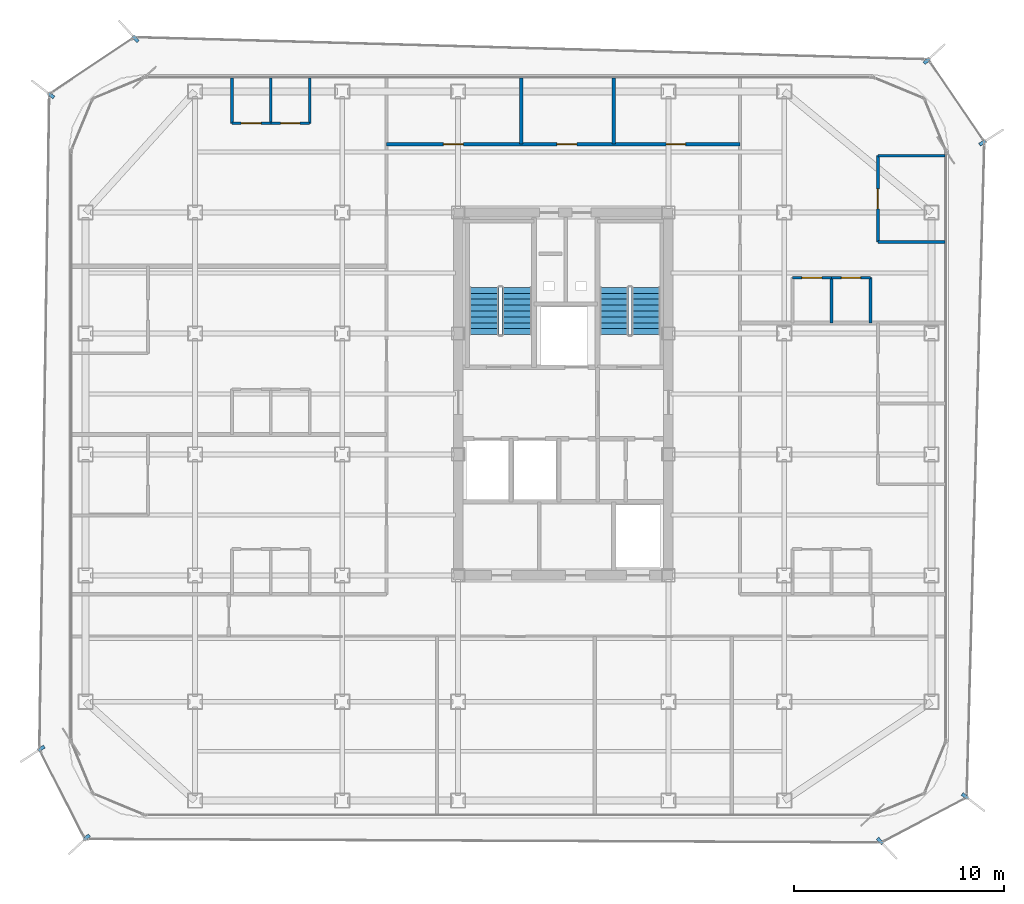
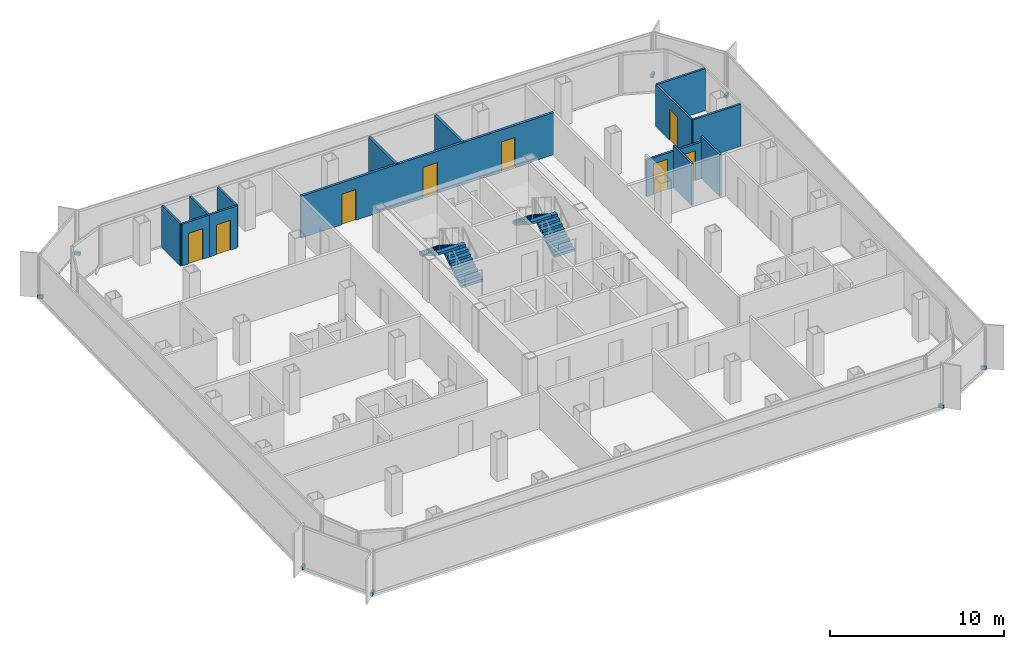
# One storey, part 12 of 15: 15 walls, 8 discrete accessories, 8 doors, 4 stair flights, 8 openings, 2 elements without a shape of their own.
"""IFC4 building model written with IfcOpenShell, lengths in metres."""

from ifc_helpers import new_model, si_unit, direction, frame, frame_2d, origin, origin_2d, place, context, subcontext, project, spatial, polyline, rectangle, outline, extrude, source, transform, mapped, material, layer, layer_set, type_object, element, fill, aggregate, save


model = new_model("IFC4")

# Units and contexts
model_context = context("Model", 3, precision=1e-05, world=origin(), true_north=direction((0.0, 1.0)))
body_context = subcontext(model_context, "Body", "Model", "MODEL_VIEW")
ifc_project = project(units=[si_unit("LENGTHUNIT", "METRE"), si_unit("AREAUNIT", "SQUARE_METRE"), si_unit("VOLUMEUNIT", "CUBIC_METRE"), si_unit("PLANEANGLEUNIT", "RADIAN"), si_unit("MASSUNIT", "GRAM", prefix="KILO")], contexts=[model_context])

# Site, building, storey
site_placement = place(None, origin())
site = spatial("IfcSite", under=ifc_project, at=site_placement, CompositionType="ELEMENT")
building_placement = place(site_placement, origin())
building = spatial("IfcBuilding", under=site, at=building_placement, Name="Kolveth Station Tower", CompositionType="ELEMENT")
storey_placement = place(building_placement, frame((0.0, 0.0, 193.199951171875)))
storey = spatial("IfcBuildingStorey", under=building, at=storey_placement, Name="L54", CompositionType="ELEMENT", Elevation=193.199951171875)

# Wall, opening, door
ifc_material_1 = material(Name="Moisture-resistant gypsum partition")
ifc_layer_1 = layer(ifc_material_1, 0.135009765625)
ifc_layer_set_1 = layer_set([ifc_layer_1], Name="Moisture-resistant gypsum partition")
wall_type_1 = type_object("IfcWallType", Name="Wall_IW-135", PredefinedType="PARTITIONING", material=ifc_layer_set_1)
wall_1_placement = place(storey_placement, frame((7.75, 32.989990234375, 0.0), z_axis=(0.0, 0.0, 1.0), x_axis=(1.0, 0.0, 0.0)))
wall_1 = element("IfcWall", 1, at=wall_1_placement, inside=storey, type_object=wall_type_1, Name="L54 Partition Wall WL-L54-W3-IBHK", PredefinedType="PARTITIONING", context=body_context, shape_type="SweptSolid", body=[
    extrude(rectangle(XDim=1.85009765625, YDim=0.135009765625, at=frame_2d((0.925048828125, 0.0))), origin(), (0.0, 0.0, 1.0), 2.949951171875),
])
opening_1_placement = place(wall_1_placement, frame((0.445068359375, 0.0, 0.0)))
opening_1 = element("IfcOpeningElement", 2, at=opening_1_placement, cuts=wall_1, Name="Opening ID1", PredefinedType="OPENING", context=body_context, shape_type="SweptSolid", body=[
    extrude(rectangle(XDim=0.949951171875, YDim=2.14990234375, at=frame_2d((0.47509765625, 1.074951171875))), frame((0.0, 0.077392578125, 0.0), z_axis=(0.0, -1.0, 0.0), x_axis=(1.0, 0.0, 0.0)), (0.0, 0.0, 1.0), 0.155029296875),
])
ifc_material_2 = material(Name="Acoustic hardwood leaf and aluminium frame", Category="wood")
door_type_1 = type_object("IfcDoorType", Name="Door_ID1", OperationType="NOTDEFINED", PredefinedType="DOOR", material=ifc_material_2)
door_1_placement = place(opening_1_placement, frame((0.949951171875, 0.0, 0.0), z_axis=(0.0, 0.0, 1.0), x_axis=(-1.0, 0.0, 0.0)))
door_1 = element("IfcDoor", 3, at=door_1_placement, inside=storey, type_object=door_type_1, Name="Penthouse Flat L54-W3 Kitchen Door", OperationType="SINGLE_SWING_RIGHT", OverallHeight=2.14990234375, OverallWidth=0.949951171875, PredefinedType="DOOR", context=body_context, shape_type="SweptSolid", body=[
    extrude(rectangle(XDim=0.949951171875, YDim=2.14990234375, at=frame_2d((0.47509765625, 1.074951171875))), frame((0.0, 0.02490234375, 0.0), z_axis=(0.0, -1.0, 0.0), x_axis=(1.0, 0.0, 0.0)), (0.0, 0.0, 1.0), 0.050048828125),
])
fill(opening_1, door_1)

wall_2_placement = place(storey_placement, frame((9.60009765625, 32.989990234375, 0.0), z_axis=(0.0, 0.0, 1.0), x_axis=(1.0, 0.0, 0.0)))
wall_2 = element("IfcWall", 4, at=wall_2_placement, inside=storey, type_object=wall_type_1, Name="L54 Partition Wall WL-L54-W3-IBHB", PredefinedType="PARTITIONING", context=body_context, shape_type="SweptSolid", body=[
    extrude(rectangle(XDim=1.849853515625, YDim=0.135009765625, at=frame_2d((0.9248046875, 0.0))), origin(), (0.0, 0.0, 1.0), 2.949951171875),
])
opening_2_placement = place(wall_2_placement, frame((0.465087890625, 0.0, 0.0)))
opening_2 = element("IfcOpeningElement", 5, at=opening_2_placement, cuts=wall_2, Name="Opening ID2", PredefinedType="OPENING", context=body_context, shape_type="SweptSolid", body=[
    extrude(rectangle(XDim=0.919921875, YDim=2.10009765625, at=frame_2d((0.4599609375, 1.050048828125))), frame((0.0, 0.077392578125, 0.0), z_axis=(0.0, -1.0, 0.0), x_axis=(1.0, 0.0, 0.0)), (0.0, 0.0, 1.0), 0.155029296875),
])
ifc_material_3 = material(Name="Moisture-resistant hardwood leaf", Category="wood")
door_type_2 = type_object("IfcDoorType", Name="Door_ID2", OperationType="NOTDEFINED", PredefinedType="DOOR", material=ifc_material_3)
door_2_placement = place(opening_2_placement, frame((0.919921875, 0.0, 0.0), z_axis=(0.0, 0.0, 1.0), x_axis=(-1.0, 0.0, 0.0)))
door_2 = element("IfcDoor", 6, at=door_2_placement, inside=storey, type_object=door_type_2, Name="Penthouse Flat L54-W3 Bathroom Door", OperationType="SINGLE_SWING_LEFT", OverallHeight=2.10009765625, OverallWidth=0.919921875, PredefinedType="DOOR", context=body_context, shape_type="SweptSolid", body=[
    extrude(rectangle(XDim=0.919921875, YDim=2.10009765625, at=frame_2d((0.4599609375, 1.050048828125))), frame((0.0, 0.02490234375, 0.0), z_axis=(0.0, -1.0, 0.0), x_axis=(1.0, 0.0, 0.0)), (0.0, 0.0, 1.0), 0.050048828125),
])
fill(opening_2, door_2)

# Walls
for number, where, z_axis, x_axis, name in (
    (7, (7.75, 32.989990234375, 0.0), (0.0, 0.0, 1.0), (0.0, 1.0, 0.0), "L54 Partition Wall WL-L54-W3-IBV0"),
    (8, (9.60009765625, 32.989990234375, 0.0), (0.0, 0.0, 1.0), (0.0, 1.0, 0.0), "L54 Partition Wall WL-L54-W3-IBV1"),
    (9, (11.449951171875, 32.989990234375, 0.0), (0.0, 0.0, 1.0), (0.0, 1.0, 0.0), "L54 Partition Wall WL-L54-W3-IBV2"),
):
    element("IfcWall", number, at=place(storey_placement, frame(where, z_axis=z_axis, x_axis=x_axis)), inside=storey, type_object=wall_type_1, Name=name, PredefinedType="PARTITIONING", context=body_context, shape_type="SweptSolid", body=[
        extrude(rectangle(XDim=2.14990234375, YDim=0.135009765625, at=frame_2d((1.074951171875, 0.0))), origin(), (0.0, 0.0, 1.0), 2.949951171875),
    ])

# Wall, opening, door
wall_3_placement = place(storey_placement, frame((34.39990234375, 25.64990234375, 0.0), z_axis=(0.0, 0.0, 1.0), x_axis=(1.0, 0.0, 0.0)))
wall_3 = element("IfcWall", 10, at=wall_3_placement, inside=storey, type_object=wall_type_1, Name="L54 Partition Wall WL-L54-E2-IBHK", PredefinedType="PARTITIONING", context=body_context, shape_type="SweptSolid", body=[
    extrude(rectangle(XDim=1.85009765625, YDim=0.135009765625, at=frame_2d((0.925048828125, 0.0))), origin(), (0.0, 0.0, 1.0), 2.5830078125),
])
opening_3_placement = place(wall_3_placement, frame((0.445068359375, 0.0, 0.0)))
opening_3 = element("IfcOpeningElement", 11, at=opening_3_placement, cuts=wall_3, Name="Opening ID1", PredefinedType="OPENING", context=body_context, shape_type="SweptSolid", body=[
    extrude(rectangle(XDim=0.949951171875, YDim=2.14990234375, at=frame_2d((0.47509765625, 1.074951171875))), frame((0.0, 0.077392578125, 0.0), z_axis=(0.0, -1.0, 0.0), x_axis=(1.0, 0.0, 0.0)), (0.0, 0.0, 1.0), 0.155029296875),
])
door_3_placement = place(opening_3_placement, origin())
door_3 = element("IfcDoor", 12, at=door_3_placement, inside=storey, type_object=door_type_1, Name="Penthouse Flat L54-E2 Kitchen Door", OperationType="SINGLE_SWING_RIGHT", OverallHeight=2.14990234375, OverallWidth=0.949951171875, PredefinedType="DOOR", context=body_context, shape_type="SweptSolid", body=[
    extrude(rectangle(XDim=0.949951171875, YDim=2.14990234375, at=frame_2d((0.47509765625, 1.074951171875))), frame((0.0, 0.02490234375, 0.0), z_axis=(0.0, -1.0, 0.0), x_axis=(1.0, 0.0, 0.0)), (0.0, 0.0, 1.0), 0.050048828125),
])
fill(opening_3, door_3)

wall_4_placement = place(storey_placement, frame((36.25, 25.64990234375, 0.0), z_axis=(0.0, 0.0, 1.0), x_axis=(1.0, 0.0, 0.0)))
wall_4 = element("IfcWall", 13, at=wall_4_placement, inside=storey, type_object=wall_type_1, Name="L54 Partition Wall WL-L54-E2-IBHB", PredefinedType="PARTITIONING", context=body_context, shape_type="SweptSolid", body=[
    extrude(rectangle(XDim=1.85009765625, YDim=0.135009765625, at=frame_2d((0.925048828125, 0.0))), origin(), (0.0, 0.0, 1.0), 2.5830078125),
])
opening_4_placement = place(wall_4_placement, frame((0.465087890625, 0.0, 0.0)))
opening_4 = element("IfcOpeningElement", 14, at=opening_4_placement, cuts=wall_4, Name="Opening ID2", PredefinedType="OPENING", context=body_context, shape_type="SweptSolid", body=[
    extrude(rectangle(XDim=0.919921875, YDim=2.10009765625, at=frame_2d((0.4599609375, 1.050048828125))), frame((0.0, 0.077392578125, 0.0), z_axis=(0.0, -1.0, 0.0), x_axis=(1.0, 0.0, 0.0)), (0.0, 0.0, 1.0), 0.155029296875),
])
door_4_placement = place(opening_4_placement, origin())
door_4 = element("IfcDoor", 15, at=door_4_placement, inside=storey, type_object=door_type_2, Name="Penthouse Flat L54-E2 Bathroom Door", OperationType="SINGLE_SWING_LEFT", OverallHeight=2.10009765625, OverallWidth=0.919921875, PredefinedType="DOOR", context=body_context, shape_type="SweptSolid", body=[
    extrude(rectangle(XDim=0.919921875, YDim=2.10009765625, at=frame_2d((0.4599609375, 1.050048828125))), frame((0.0, 0.02490234375, 0.0), z_axis=(0.0, -1.0, 0.0), x_axis=(1.0, 0.0, 0.0)), (0.0, 0.0, 1.0), 0.050048828125),
])
fill(opening_4, door_4)

# Walls
for number, where, z_axis, x_axis, name in (
    (16, (36.25, 23.5, 0.0), (0.0, 0.0, 1.0), (0.0, 1.0, 0.0), "L54 Partition Wall WL-L54-E2-IBV1"),
    (17, (38.10009765625, 23.5, 0.0), (0.0, 0.0, 1.0), (0.0, 1.0, 0.0), "L54 Partition Wall WL-L54-E2-IBV2"),
):
    element("IfcWall", number, at=place(storey_placement, frame(where, z_axis=z_axis, x_axis=x_axis)), inside=storey, type_object=wall_type_1, Name=name, PredefinedType="PARTITIONING", context=body_context, shape_type="SweptSolid", body=[
        extrude(rectangle(XDim=2.14990234375, YDim=0.135009765625, at=frame_2d((1.074951171875, 0.0))), origin(), (0.0, 0.0, 1.0), 2.949951171875),
    ])
for number, where, z_axis, x_axis, name in (
    (18, (38.449951171875, 27.345947265625, 0.0), (0.0, 0.0, 1.0), (1.0, 0.0, 0.0), "L54 Partition Wall WL-L54-E2-BDH0"),
    (19, (38.449951171875, 31.449951171875, 0.0), (0.0, 0.0, 1.0), (1.0, 0.0, 0.0), "L54 Partition Wall WL-L54-E2-BDHE"),
):
    element("IfcWall", number, at=place(storey_placement, frame(where, z_axis=z_axis, x_axis=x_axis)), inside=storey, type_object=wall_type_1, Name=name, PredefinedType="PARTITIONING", context=body_context, shape_type="SweptSolid", body=[
        extrude(rectangle(XDim=3.18994140625, YDim=0.135009765625, at=frame_2d((1.594970703125, 0.0))), origin(), (0.0, 0.0, 1.0), 2.949951171875),
    ])

# Wall, opening, door
wall_5_placement = place(storey_placement, frame((38.449951171875, 27.345947265625, 0.0), z_axis=(0.0, 0.0, 1.0), x_axis=(0.0, 1.0, 0.0)))
wall_5 = element("IfcWall", 20, at=wall_5_placement, inside=storey, type_object=wall_type_1, Name="L54 Partition Wall WL-L54-E2-BDV1", PredefinedType="PARTITIONING", context=body_context, shape_type="SweptSolid", body=[
    extrude(rectangle(XDim=4.10400390625, YDim=0.135009765625, at=frame_2d((2.052001953125, 0.0))), origin(), (0.0, 0.0, 1.0), 2.949951171875),
])
opening_5_placement = place(wall_5_placement, frame((1.572021484375, 0.0, 0.0)))
opening_5 = element("IfcOpeningElement", 21, at=opening_5_placement, cuts=wall_5, Name="Opening ID1", PredefinedType="OPENING", context=body_context, shape_type="SweptSolid", body=[
    extrude(rectangle(XDim=0.949951171875, YDim=2.14990234375, at=frame_2d((0.47509765625, 1.074951171875))), frame((0.0, 0.077392578125, 0.0), z_axis=(0.0, -1.0, 0.0), x_axis=(1.0, 0.0, 0.0)), (0.0, 0.0, 1.0), 0.155029296875),
])
door_5_placement = place(opening_5_placement, frame((0.949951171875, 0.0, 0.0), z_axis=(0.0, 0.0, 1.0), x_axis=(-1.0, 0.0, 0.0)))
door_5 = element("IfcDoor", 22, at=door_5_placement, inside=storey, type_object=door_type_1, Name="Penthouse Flat L54-E2 Bedroom 1 Door", OperationType="SINGLE_SWING_RIGHT", OverallHeight=2.14990234375, OverallWidth=0.949951171875, PredefinedType="DOOR", context=body_context, shape_type="SweptSolid", body=[
    extrude(rectangle(XDim=0.949951171875, YDim=2.14990234375, at=frame_2d((0.47509765625, 1.074951171875))), frame((0.0, 0.02490234375, 0.0), z_axis=(0.0, -1.0, 0.0), x_axis=(1.0, 0.0, 0.0)), (0.0, 0.0, 1.0), 0.050048828125),
])
fill(opening_5, door_5)

# Wall, openings, doors
ifc_material_4 = material(Name="Acoustic double-stud gypsum partition")
ifc_layer_2 = layer(ifc_material_4, 0.1650390625)
ifc_layer_set_2 = layer_set([ifc_layer_2], Name="Acoustic double-stud gypsum partition")
wall_type_2 = type_object("IfcWallType", Name="Wall_IW-165", PredefinedType="PARTITIONING", material=ifc_layer_set_2)
wall_6_placement = place(storey_placement, frame((15.10009765625, 32.0, 0.0), z_axis=(0.0, 0.0, 1.0), x_axis=(1.0, 0.0, 0.0)))
wall_6 = element("IfcWall", 23, at=wall_6_placement, inside=storey, type_object=wall_type_2, Name="L54 Partition Wall WL-L54-RN", PredefinedType="PARTITIONING", context=body_context, shape_type="SweptSolid", body=[
    extrude(rectangle(XDim=16.7998046875, YDim=0.1650390625, at=frame_2d((8.39990234375, 0.0))), origin(), (0.0, 0.0, 1.0), 2.949951171875),
])
opening_6_placement = place(wall_6_placement, frame((2.699951171875, 0.0, 0.0)))
opening_6 = element("IfcOpeningElement", 24, at=opening_6_placement, cuts=wall_6, Name="Opening ID1", PredefinedType="OPENING", context=body_context, shape_type="SweptSolid", body=[
    extrude(rectangle(XDim=0.949951171875, YDim=2.14990234375, at=frame_2d((0.47509765625, 1.074951171875))), frame((0.0, 0.092529296875, 0.0), z_axis=(0.0, -1.0, 0.0), x_axis=(1.0, 0.0, 0.0)), (0.0, 0.0, 1.0), 0.18505859375),
])
opening_7_placement = place(wall_6_placement, frame((8.10009765625, 0.0, 0.0)))
opening_7 = element("IfcOpeningElement", 25, at=opening_7_placement, cuts=wall_6, Name="Opening ID1", PredefinedType="OPENING", context=body_context, shape_type="SweptSolid", body=[
    extrude(rectangle(XDim=0.949951171875, YDim=2.14990234375, at=frame_2d((0.47509765625, 1.074951171875))), frame((0.0, 0.092529296875, 0.0), z_axis=(0.0, -1.0, 0.0), x_axis=(1.0, 0.0, 0.0)), (0.0, 0.0, 1.0), 0.18505859375),
])
opening_8_placement = place(wall_6_placement, frame((13.300048828125, 0.0, 0.0)))
opening_8 = element("IfcOpeningElement", 26, at=opening_8_placement, cuts=wall_6, Name="Opening ID2", PredefinedType="OPENING", context=body_context, shape_type="SweptSolid", body=[
    extrude(rectangle(XDim=0.919921875, YDim=2.10009765625, at=frame_2d((0.4599609375, 1.050048828125))), frame((0.0, 0.092529296875, 0.0), z_axis=(0.0, -1.0, 0.0), x_axis=(1.0, 0.0, 0.0)), (0.0, 0.0, 1.0), 0.18505859375),
])
door_6_placement = place(opening_6_placement, origin())
door_6 = element("IfcDoor", 27, at=door_6_placement, inside=storey, type_object=door_type_1, Name="L54 Quiet Study 1 Door", OperationType="SINGLE_SWING_RIGHT", OverallHeight=2.14990234375, OverallWidth=0.949951171875, PredefinedType="DOOR", context=body_context, shape_type="SweptSolid", body=[
    extrude(rectangle(XDim=0.949951171875, YDim=2.14990234375, at=frame_2d((0.47509765625, 1.074951171875))), frame((0.0, 0.02490234375, 0.0), z_axis=(0.0, -1.0, 0.0), x_axis=(1.0, 0.0, 0.0)), (0.0, 0.0, 1.0), 0.050048828125),
])
fill(opening_6, door_6)
door_7_placement = place(opening_7_placement, origin())
door_7 = element("IfcDoor", 28, at=door_7_placement, inside=storey, type_object=door_type_1, Name="L54 Quiet Study 2 Door", OperationType="SINGLE_SWING_LEFT", OverallHeight=2.14990234375, OverallWidth=0.949951171875, PredefinedType="DOOR", context=body_context, shape_type="SweptSolid", body=[
    extrude(rectangle(XDim=0.949951171875, YDim=2.14990234375, at=frame_2d((0.47509765625, 1.074951171875))), frame((0.0, 0.02490234375, 0.0), z_axis=(0.0, -1.0, 0.0), x_axis=(1.0, 0.0, 0.0)), (0.0, 0.0, 1.0), 0.050048828125),
])
fill(opening_7, door_7)
door_8_placement = place(opening_8_placement, origin())
door_8 = element("IfcDoor", 29, at=door_8_placement, inside=storey, type_object=door_type_2, Name="L54 Accessible Residents' WC Door", OperationType="SINGLE_SWING_RIGHT", OverallHeight=2.10009765625, OverallWidth=0.919921875, PredefinedType="DOOR", context=body_context, shape_type="SweptSolid", body=[
    extrude(rectangle(XDim=0.919921875, YDim=2.10009765625, at=frame_2d((0.4599609375, 1.050048828125))), frame((0.0, 0.02490234375, 0.0), z_axis=(0.0, -1.0, 0.0), x_axis=(1.0, 0.0, 0.0)), (0.0, 0.0, 1.0), 0.050048828125),
])
fill(opening_8, door_8)

# Walls
for number, where, z_axis, x_axis, name in (
    (30, (21.5, 32.0, 0.0), (0.0, 0.0, 1.0), (0.0, 1.0, 0.0), "L54 Partition Wall WL-L54-RN-P1"),
    (31, (25.89990234375, 32.0, 0.0), (0.0, 0.0, 1.0), (0.0, 1.0, 0.0), "L54 Partition Wall WL-L54-RN-P2"),
):
    element("IfcWall", number, at=place(storey_placement, frame(where, z_axis=z_axis, x_axis=x_axis)), inside=storey, type_object=wall_type_2, Name=name, PredefinedType="PARTITIONING", context=body_context, shape_type="SweptSolid", body=[
        extrude(rectangle(XDim=3.139892578125, YDim=0.1650390625, at=frame_2d((1.56982421875, 0.0))), origin(), (0.0, 0.0, 1.0), 2.949951171875),
    ])

# Stair, stair flights
ifc_material_5 = material(Name="Concrete C40/50", Category="concrete")
stair_type_1 = type_object("IfcStairType", Name="Stair_ST1", PredefinedType="HALF_TURN_STAIR", material=ifc_material_5)
stair_1_placement = place(storey_placement, origin())
stair_1 = element("IfcStair", 32, at=stair_1_placement, inside=storey, type_object=stair_type_1, Name="L54 Tower Exit Stair ST1", PredefinedType="HALF_TURN_STAIR")
ifc_layer_3 = layer(ifc_material_5, 0.179931640625)
ifc_layer_set_3 = layer_set([ifc_layer_3], Name="Concrete C40/50")
stair_flight_type_1 = type_object("IfcStairFlightType", Name="Flight_ST1", PredefinedType="STRAIGHT", material=ifc_layer_set_3)
stair_flight_1_placement = place(storey_placement, frame((21.300048828125, 22.949951171875, 0.0), z_axis=(0.0, 0.0, 1.0), x_axis=(0.0, 1.0, 0.0)))
stair_flight_1 = element("IfcStairFlight", 33, at=stair_flight_1_placement, type_object=stair_flight_type_1, Name="ST1 flight 1", NumberOfRisers=9, NumberOfTreads=8, PredefinedType="STRAIGHT", RiserHeight=0.177777778, TreadLength=0.28, context=body_context, shape_type="SweptSolid", body=[
    extrude(outline(polyline([(0.0, 0.0), (0.0, 0.177734375), (0.280029296875, 0.177734375), (0.280029296875, 0.35546875), (0.56005859375, 0.35546875), (0.56005859375, 0.533447265625), (0.840087890625, 0.533447265625), (0.840087890625, 0.711181640625), (1.1201171875, 0.711181640625), (1.1201171875, 0.888916015625), (1.39990234375, 0.888916015625), (1.39990234375, 1.066650390625), (1.679931640625, 1.066650390625), (1.679931640625, 1.244384765625), (1.9599609375, 1.244384765625), (1.9599609375, 1.422119140625), (2.239990234375, 1.422119140625), (2.239990234375, 1.60009765625), (2.239990234375, 1.24462890625), (0.27978515625, 0.0), (0.0, 0.0)])), frame((0.0, 0.699951171875, 0.0), z_axis=(0.0, -1.0, 0.0), x_axis=(1.0, 0.0, 0.0)), (0.0, 0.0, 1.0), 1.39990234375),
])
stair_flight_2_placement = place(storey_placement, frame((19.739990234375, 25.18994140625, 1.60009765625), z_axis=(0.0, 0.0, 1.0), x_axis=(0.0, -1.0, 0.0)))
stair_flight_2 = element("IfcStairFlight", 34, at=stair_flight_2_placement, type_object=stair_flight_type_1, Name="ST1 flight 2", NumberOfRisers=9, NumberOfTreads=8, PredefinedType="STRAIGHT", RiserHeight=0.177777778, TreadLength=0.28, context=body_context, shape_type="SweptSolid", body=[
    extrude(outline(polyline([(0.0, 0.0), (0.0, 0.177734375), (0.280029296875, 0.177734375), (0.280029296875, 0.35546875), (0.56005859375, 0.35546875), (0.56005859375, 0.533447265625), (0.840087890625, 0.533447265625), (0.840087890625, 0.711181640625), (1.1201171875, 0.711181640625), (1.1201171875, 0.888916015625), (1.39990234375, 0.888916015625), (1.39990234375, 1.066650390625), (1.679931640625, 1.066650390625), (1.679931640625, 1.244384765625), (1.9599609375, 1.244384765625), (1.9599609375, 1.422119140625), (2.239990234375, 1.422119140625), (2.239990234375, 1.60009765625), (2.239990234375, 1.24462890625), (0.27978515625, 0.0), (0.0, 0.0)])), frame((0.0, 0.699951171875, 0.0), z_axis=(0.0, -1.0, 0.0), x_axis=(1.0, 0.0, 0.0)), (0.0, 0.0, 1.0), 1.39990234375),
])
aggregate(stair_1, [stair_flight_1, stair_flight_2])

stair_type_2 = type_object("IfcStairType", Name="Stair_ST2", PredefinedType="HALF_TURN_STAIR", material=ifc_material_5)
stair_2_placement = place(storey_placement, origin())
stair_2 = element("IfcStair", 35, at=stair_2_placement, inside=storey, type_object=stair_type_2, Name="L54 Tower Exit Stair ST2", PredefinedType="HALF_TURN_STAIR")
ifc_layer_4 = layer(ifc_material_5, 0.179931640625)
ifc_layer_set_4 = layer_set([ifc_layer_4], Name="Concrete C40/50")
stair_flight_type_2 = type_object("IfcStairFlightType", Name="Flight_ST2", PredefinedType="STRAIGHT", material=ifc_layer_set_4)
stair_flight_3_placement = place(storey_placement, frame((27.425048828125, 22.949951171875, 0.0), z_axis=(0.0, 0.0, 1.0), x_axis=(0.0, 1.0, 0.0)))
stair_flight_3 = element("IfcStairFlight", 36, at=stair_flight_3_placement, type_object=stair_flight_type_2, Name="ST2 flight 1", NumberOfRisers=9, NumberOfTreads=8, PredefinedType="STRAIGHT", RiserHeight=0.177777778, TreadLength=0.28, context=body_context, shape_type="SweptSolid", body=[
    extrude(outline(polyline([(0.0, 0.0), (0.0, 0.177734375), (0.280029296875, 0.177734375), (0.280029296875, 0.35546875), (0.56005859375, 0.35546875), (0.56005859375, 0.533447265625), (0.840087890625, 0.533447265625), (0.840087890625, 0.711181640625), (1.1201171875, 0.711181640625), (1.1201171875, 0.888916015625), (1.39990234375, 0.888916015625), (1.39990234375, 1.066650390625), (1.679931640625, 1.066650390625), (1.679931640625, 1.244384765625), (1.9599609375, 1.244384765625), (1.9599609375, 1.422119140625), (2.239990234375, 1.422119140625), (2.239990234375, 1.60009765625), (2.239990234375, 1.24462890625), (0.27978515625, 0.0), (0.0, 0.0)])), frame((0.0, 0.675048828125, 0.0), z_axis=(0.0, -1.0, 0.0), x_axis=(1.0, 0.0, 0.0)), (0.0, 0.0, 1.0), 1.35009765625),
])
stair_flight_4_placement = place(storey_placement, frame((25.9150390625, 25.18994140625, 1.60009765625), z_axis=(0.0, 0.0, 1.0), x_axis=(0.0, -1.0, 0.0)))
stair_flight_4 = element("IfcStairFlight", 37, at=stair_flight_4_placement, type_object=stair_flight_type_2, Name="ST2 flight 2", NumberOfRisers=9, NumberOfTreads=8, PredefinedType="STRAIGHT", RiserHeight=0.177777778, TreadLength=0.28, context=body_context, shape_type="SweptSolid", body=[
    extrude(outline(polyline([(0.0, 0.0), (0.0, 0.177734375), (0.280029296875, 0.177734375), (0.280029296875, 0.35546875), (0.56005859375, 0.35546875), (0.56005859375, 0.533447265625), (0.840087890625, 0.533447265625), (0.840087890625, 0.711181640625), (1.1201171875, 0.711181640625), (1.1201171875, 0.888916015625), (1.39990234375, 0.888916015625), (1.39990234375, 1.066650390625), (1.679931640625, 1.066650390625), (1.679931640625, 1.244384765625), (1.9599609375, 1.244384765625), (1.9599609375, 1.422119140625), (2.239990234375, 1.422119140625), (2.239990234375, 1.60009765625), (2.239990234375, 1.24462890625), (0.27978515625, 0.0), (0.0, 0.0)])), frame((0.0, 0.675048828125, 0.0), z_axis=(0.0, -1.0, 0.0), x_axis=(1.0, 0.0, 0.0)), (0.0, 0.0, 1.0), 1.35009765625),
])
aggregate(stair_2, [stair_flight_3, stair_flight_4])

# Discrete accessories
ifc_material_6 = material(Name="Steel S355", Category="steel")
discrete_accessory_type = type_object("IfcDiscreteAccessoryType", Name="Bracket_BK1", PredefinedType="BRACKET", material=ifc_material_6)
shared_shape = source(origin(), body_context, "Body", "SweptSolid", [
    extrude(rectangle(XDim=0.35009765625, YDim=0.159912109375, at=origin_2d()), origin(), (0.0, 0.0, 1.0), 0.219970703125),
])
for number, where, z_axis, x_axis, name in (
    (38, (38.552978515625, -1.117919921875, -0.06005859375), (0.0, 0.0, 1.0), (0.685182990326, -0.728370969882, 0.0), "L54 Double-Skin Radial Tie Bracket 1"),
    (39, (42.595947265625, 1.009033203125, -0.06005859375), (0.0, 0.0, 1.0), (0.79345957712, -0.608622953458, 0.0), "L54 Double-Skin Radial Tie Bracket 2"),
    (40, (43.430908203125, 32.06494140625, -0.06005859375), (0.0, 0.0, 1.0), (0.842358350935, 0.538917812481, 0.0), "L54 Double-Skin Radial Tie Bracket 3"),
    (41, (40.779052734375, 35.95703125, -0.06005859375), (0.0, 0.0, 1.0), (0.735624359204, 0.677389697402, 0.0), "L54 Double-Skin Radial Tie Bracket 4"),
    (42, (3.173095703125, 37.001953125, -0.06005859375), (0.0, 0.0, 1.0), (-0.675461518156, 0.737395238315, 0.0), "L54 Double-Skin Radial Tie Bracket 5"),
    (43, (-0.843017578125, 34.318115234375, -0.06005859375), (0.0, 0.0, 1.0), (-0.793671978264, 0.608345946742, 0.0), "L54 Double-Skin Radial Tie Bracket 6"),
    (44, (-1.30810546875, 3.27587890625, -0.06005859375), (0.0, 0.0, 1.0), (-0.839525049921, -0.543320982988, 0.0), "L54 Double-Skin Radial Tie Bracket 7"),
    (45, (0.847900390625, -0.9599609375, -0.06005859375), (0.0, 0.0, 1.0), (-0.733017953051, -0.680209291693, 0.0), "L54 Double-Skin Radial Tie Bracket 8"),
):
    element("IfcDiscreteAccessory", number, at=place(storey_placement, frame(where, z_axis=z_axis, x_axis=x_axis)), inside=storey, type_object=discrete_accessory_type, Name=name, PredefinedType="BRACKET", context=body_context, shape_type="MappedRepresentation", body=[
        mapped(shared_shape, transform((0.0, 0.0, 0.0), x_axis=(1.0, 0.0, 0.0), y_axis=(0.0, 1.0, 0.0), z_axis=(0.0, 0.0, 1.0), scale=1.0)),
    ])

save(model, "model.ifc")
